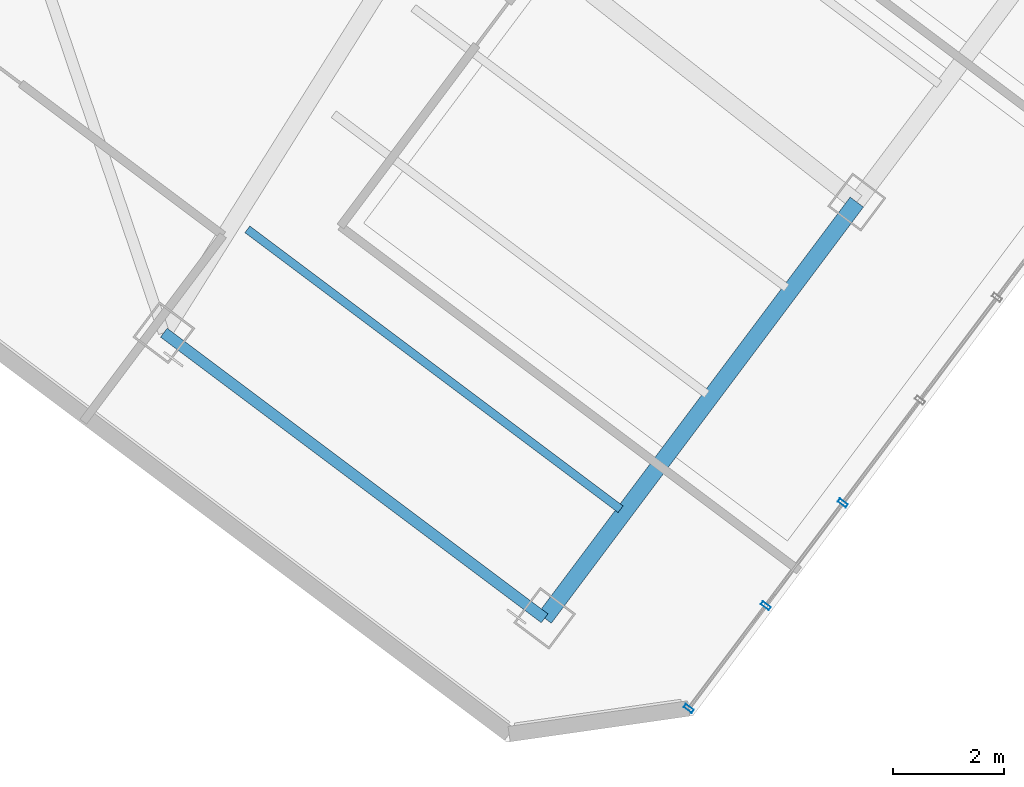
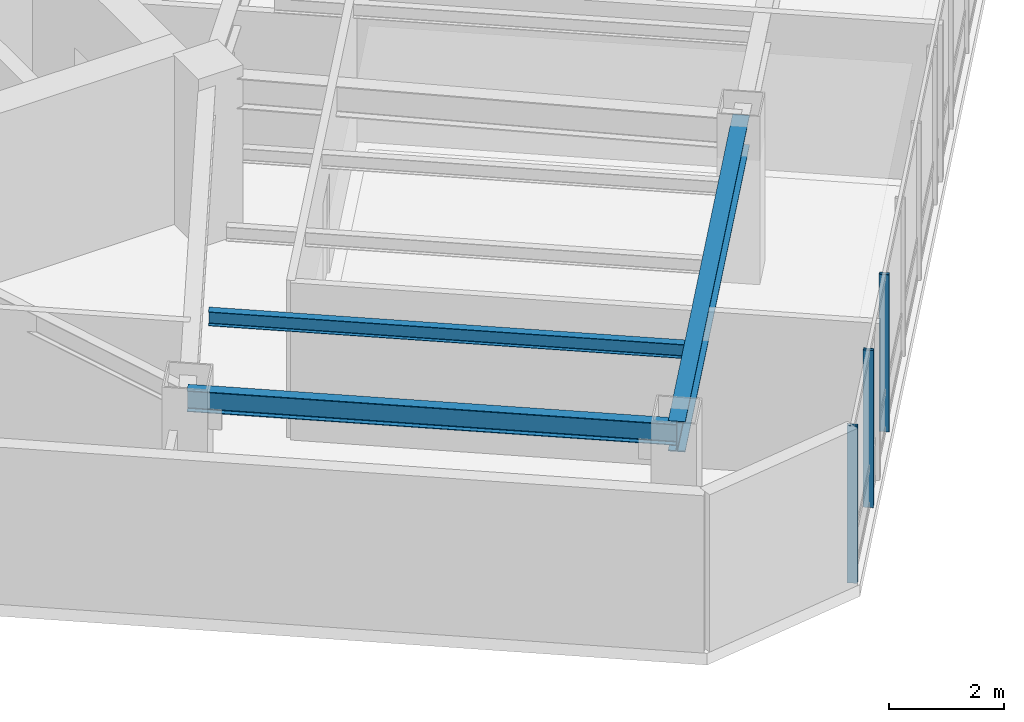
# One storey, part 10 of 27: 3 beams, 3 members, 1 element without a shape of its own.
"""IFC4 building model written with IfcOpenShell, lengths in metres."""

from ifc_helpers import new_model, si_unit, direction, frame, origin, origin_2d, place, context, subcontext, project, spatial, hollow_rectangle, i_section, extrude, material, layer, layer_set, material_profile, profile_set, type_object, element, aggregate, save


model = new_model("IFC4")

# Units and contexts
model_context = context("Model", 3, precision=1e-05, world=origin(), true_north=direction((0.0, 1.0)))
body_context = subcontext(model_context, "Body", "Model", "MODEL_VIEW")
ifc_project = project(units=[si_unit("LENGTHUNIT", "METRE"), si_unit("AREAUNIT", "SQUARE_METRE"), si_unit("VOLUMEUNIT", "CUBIC_METRE"), si_unit("PLANEANGLEUNIT", "RADIAN"), si_unit("MASSUNIT", "GRAM", prefix="KILO")], contexts=[model_context])

# Site, building, storey
site_placement = place(None, origin())
site = spatial("IfcSite", under=ifc_project, at=site_placement, CompositionType="ELEMENT")
building_placement = place(site_placement, origin())
building = spatial("IfcBuilding", under=site, at=building_placement, Name="Hatsunagi Terrace Concourse", CompositionType="ELEMENT")
storey_placement = place(building_placement, frame((0.0, 0.0, 174.449951171875)))
storey = spatial("IfcBuildingStorey", under=building, at=storey_placement, Name="L46", CompositionType="ELEMENT", Elevation=174.449951171875)

# Curtain wall, members
ifc_material_1 = material(Name="Anodised Aluminium Alloy 6063-T5", Category="aluminium")
ifc_layer = layer(ifc_material_1, 0.199951171875)
ifc_layer_set = layer_set([ifc_layer], Name="OfficeZone1_CW03")
curtain_wall_type = type_object("IfcCurtainWallType", Name="OfficeZone1_CW03", PredefinedType="NOTDEFINED", material=ifc_layer_set)
curtain_wall_placement = place(storey_placement, origin())
curtain_wall = element("IfcCurtainWall", 1, at=curtain_wall_placement, inside=storey, type_object=curtain_wall_type, Name="Unitised Curtain Wall CW-03 CW-L46-03", PredefinedType="NOTDEFINED")
ifc_material_2 = material(Name="Anodised Aluminium Alloy 6063-T5", Category="aluminium")
ifc_material_profile_1 = material_profile(ifc_material_2, hollow_rectangle(XDim=0.070068359375, YDim=0.179931640625, WallThickness=0.00390625, at=origin_2d()), Name="ALU-MUL-180x70x4")
ifc_profile_set_1 = profile_set([ifc_material_profile_1], Name="Anodised Aluminium Alloy 6063-T5")
member_type = type_object("IfcMemberType", Name="CurtainWallMullion_180x70", PredefinedType="MULLION", material=ifc_profile_set_1)
member_1_placement = place(storey_placement, frame((50.947021484375, 12.962890625, 0.0), z_axis=(0.0, 0.0, 1.0), x_axis=(-0.599969314634, -0.800023013105, 0.0)))
member_1 = element("IfcMember", 2, at=member_1_placement, type_object=member_type, Name="Curtain Wall Mullion MUL-02", PredefinedType="MULLION", context=body_context, shape_type="SweptSolid", body=[
    extrude(hollow_rectangle(XDim=0.070068359375, YDim=0.179931640625, WallThickness=0.00390625, at=origin_2d()), origin(), (0.0, 0.0, 1.0), 3.35009765625),
])
member_2_placement = place(storey_placement, frame((49.554931640625, 11.10595703125, 0.0), z_axis=(0.0, 0.0, 1.0), x_axis=(-0.599969314634, -0.800023013105, 0.0)))
member_2 = element("IfcMember", 3, at=member_2_placement, type_object=member_type, Name="Curtain Wall Mullion MUL-02", PredefinedType="MULLION", context=body_context, shape_type="SweptSolid", body=[
    extrude(hollow_rectangle(XDim=0.070068359375, YDim=0.179931640625, WallThickness=0.00390625, at=origin_2d()), origin(), (0.0, 0.0, 1.0), 3.35009765625),
])
member_3_placement = place(storey_placement, frame((48.1630859375, 9.25, 0.0), z_axis=(0.0, 0.0, 1.0), x_axis=(-0.599969314634, -0.800023013105, 0.0)))
member_3 = element("IfcMember", 4, at=member_3_placement, type_object=member_type, Name="Curtain Wall Mullion MUL-02", PredefinedType="MULLION", context=body_context, shape_type="SweptSolid", body=[
    extrude(hollow_rectangle(XDim=0.070068359375, YDim=0.179931640625, WallThickness=0.00390625, at=origin_2d()), origin(), (0.0, 0.0, 1.0), 3.35009765625),
])
aggregate(curtain_wall, [member_1, member_2, member_3])

# Beams
ifc_material_3 = material(Name="Steel SN490B", Category="steel")
ifc_material_profile_2 = material_profile(ifc_material_3, i_section(OverallWidth=0.14990234375, OverallDepth=0.300048828125, WebThickness=0.006591796875, FlangeThickness=0.009033203125, FilletRadius=0.010986328125, at=origin_2d()), Name="H-300x150x6.5x9")
ifc_profile_set_2 = profile_set([ifc_material_profile_2], Name="Steel SN490B")
beam_type_1 = type_object("IfcBeamType", Name="OfficeJoist_H_300x150", PredefinedType="JOIST", material=ifc_profile_set_2)
beam_1_placement = place(storey_placement, frame((40.18798828125, 17.908935546875, 3.199951171875), z_axis=(0.800003475366, -0.59999536615, 0.0), x_axis=(0.59999536615, 0.800003475366, 0.0)))
element("IfcBeam", 5, at=beam_1_placement, inside=storey, type_object=beam_type_1, Name="Beam J-03 J-L46-SE-2-46", PredefinedType="JOIST", context=body_context, shape_type="SweptSolid", body=[
    extrude(i_section(OverallWidth=0.14990234375, OverallDepth=0.300048828125, WebThickness=0.006591796875, FlangeThickness=0.009033203125, FilletRadius=0.010986328125, at=origin_2d()), origin(), (0.0, 0.0, 1.0), 8.429931640625),
])
ifc_material_4 = material(Name="Steel SN490B", Category="steel")
ifc_material_profile_3 = material_profile(ifc_material_4, i_section(OverallWidth=0.300048828125, OverallDepth=0.64990234375, WebThickness=0.012939453125, FlangeThickness=0.02197265625, FilletRadius=0.01806640625, at=origin_2d()), Name="H-650x300x13x22")
ifc_profile_set_3 = profile_set([ifc_material_profile_3], Name="Steel SN490B")
beam_type_2 = type_object("IfcBeamType", Name="OfficeLowGirder_H_650x300", PredefinedType="BEAM", material=ifc_profile_set_3)
beam_2_placement = place(storey_placement, frame((45.56005859375, 10.8798828125, 3.025146484375), z_axis=(0.599991688754, 0.800006233367, 0.0), x_axis=(-0.800006233367, 0.599991688754, 0.0)))
element("IfcBeam", 6, at=beam_2_placement, inside=storey, type_object=beam_type_2, Name="Beam G-05 BM-L46-SET-2A", PredefinedType="BEAM", context=body_context, shape_type="SweptSolid", body=[
    extrude(i_section(OverallWidth=0.300048828125, OverallDepth=0.64990234375, WebThickness=0.012939453125, FlangeThickness=0.02197265625, FilletRadius=0.01806640625, at=origin_2d()), origin(), (0.0, 0.0, 1.0), 9.39990234375),
])
ifc_material_5 = material(Name="Steel SN490B", Category="steel")
ifc_material_profile_4 = material_profile(ifc_material_5, i_section(OverallWidth=0.199951171875, OverallDepth=0.449951171875, WebThickness=0.009033203125, FlangeThickness=0.013916015625, FilletRadius=0.01611328125, at=origin_2d()), Name="H-450x200x9x14")
ifc_profile_set_4 = profile_set([ifc_material_profile_4], Name="Steel SN490B")
beam_type_3 = type_object("IfcBeamType", Name="PerimeterSpandrel_H_450x200", PredefinedType="SPANDREL", material=ifc_profile_set_4)
beam_3_placement = place(storey_placement, frame((38.679931640625, 16.0400390625, 3.125), z_axis=(0.799996593451, -0.600004542038, 0.0), x_axis=(0.600004542038, 0.799996593451, 0.0)))
element("IfcBeam", 7, at=beam_3_placement, inside=storey, type_object=beam_type_3, Name="Beam SP-02 BM-L46-SE-SW2", PredefinedType="SPANDREL", context=body_context, shape_type="SweptSolid", body=[
    extrude(i_section(OverallWidth=0.199951171875, OverallDepth=0.449951171875, WebThickness=0.009033203125, FlangeThickness=0.013916015625, FilletRadius=0.01611328125, at=origin_2d()), origin(), (0.0, 0.0, 1.0), 8.60009765625),
])

save(model, "model.ifc")
